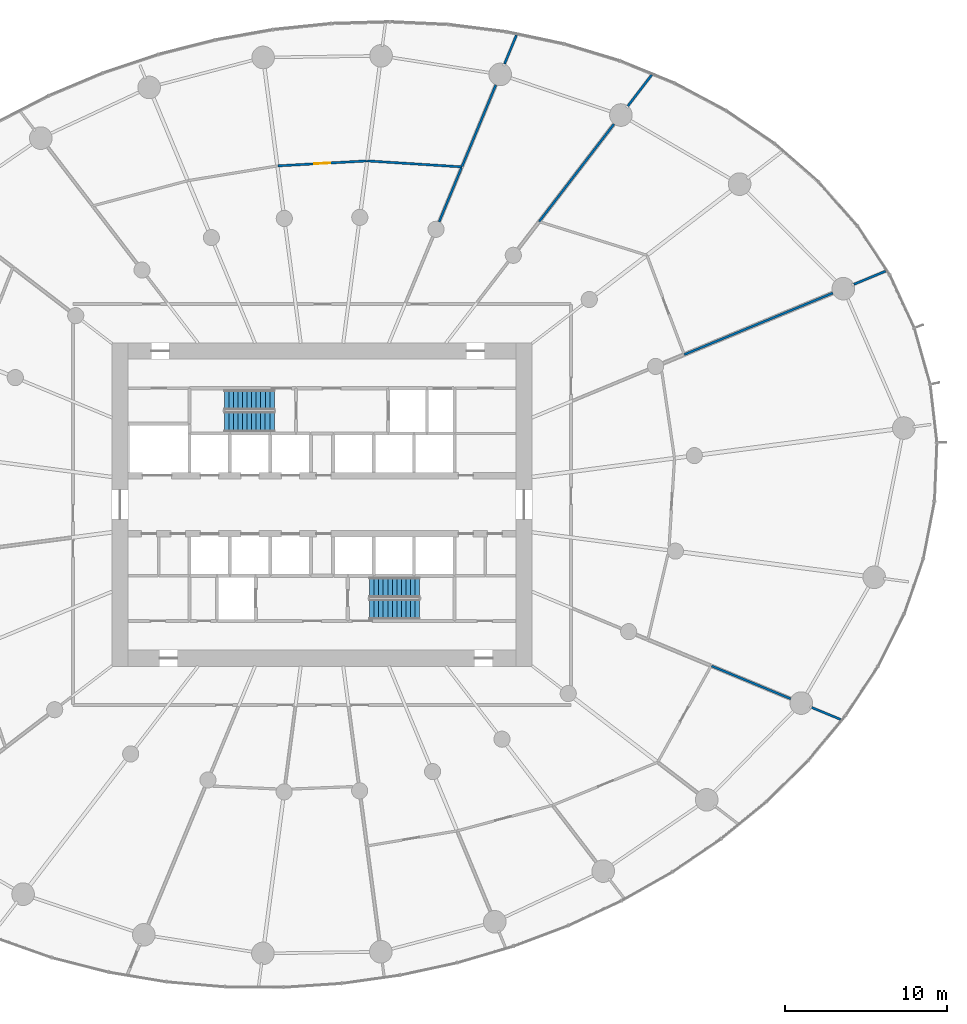
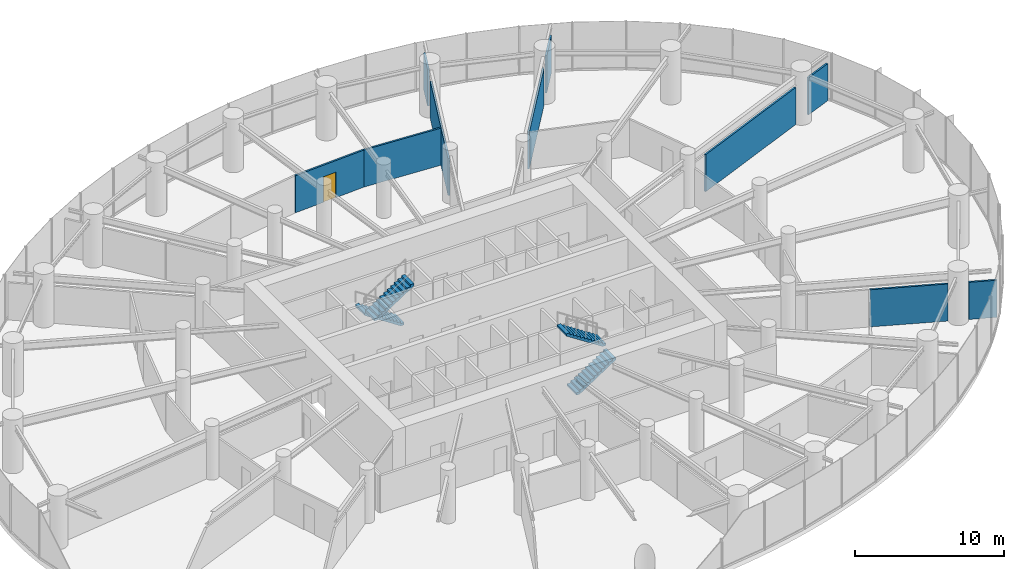
# One storey, part 16 of 19: 11 walls, 4 stair flights, 1 door, 1 opening, 2 elements without a shape of their own.
"""IFC4 building model written with IfcOpenShell, lengths in metres."""

from ifc_helpers import new_model, si_unit, direction, frame, frame_2d, origin, place, context, subcontext, project, spatial, line, indexed_curve, rectangle, outline, extrude, source, transform, mapped, material, layer, layer_set, type_object, element, fill, aggregate, save


model = new_model("IFC4")

# Units and contexts
model_context = context("Model", 3, precision=1e-05, world=origin(), true_north=direction((0.0, 1.0)))
body_context = subcontext(model_context, "Body", "Model", "MODEL_VIEW")
ifc_project = project(units=[si_unit("LENGTHUNIT", "METRE"), si_unit("AREAUNIT", "SQUARE_METRE"), si_unit("VOLUMEUNIT", "CUBIC_METRE"), si_unit("PLANEANGLEUNIT", "RADIAN"), si_unit("MASSUNIT", "GRAM", prefix="KILO")], contexts=[model_context])

# Site, building, storey
site_placement = place(None, origin())
site = spatial("IfcSite", under=ifc_project, at=site_placement, CompositionType="ELEMENT")
building_placement = place(site_placement, origin())
building = spatial("IfcBuilding", under=site, at=building_placement, Name="Spindrift Exchange Tower", CompositionType="ELEMENT")
storey_placement = place(building_placement, frame((0.0, 0.0, 57.800048828125)))
storey = spatial("IfcBuildingStorey", under=building, at=storey_placement, Name="L13", CompositionType="ELEMENT", Elevation=57.800048828125)

# Walls
ifc_material_1 = material(Name="Fire-rated plasterboard partition", Category="gypsum")
ifc_layer_1 = layer(ifc_material_1, 0.139892578125)
ifc_layer_set_1 = layer_set([ifc_layer_1], Name="W-PART-140")
wall_type_1 = type_object("IfcWallType", Name="W-PART-140", PredefinedType="PARTITIONING", material=ifc_layer_set_1)
wall_1_placement = place(storey_placement, frame((74.407470703125, 57.281494140625, 0.0), z_axis=(0.0, 0.0, 1.0), x_axis=(0.923881624853, 0.382678380966, 0.0)))
element("IfcWall", 1, at=wall_1_placement, inside=storey, type_object=wall_type_1, Name="L13 Partition wall 67", PredefinedType="PARTITIONING", context=body_context, shape_type="SweptSolid", body=[
    extrude(rectangle(XDim=9.947265625, YDim=0.139892578125, at=frame_2d((4.9736328125, 0.0))), origin(), (0.0, 0.0, 1.0), 3.050048828125),
])
wall_2_placement = place(storey_placement, frame((76.098876953125, 38.017822265625, 0.0), z_axis=(0.0, 0.0, 1.0), x_axis=(0.923875284448, -0.382693687936, 0.0)))
element("IfcWall", 2, at=wall_2_placement, inside=storey, type_object=wall_type_1, Name="L13 Partition wall 93", PredefinedType="PARTITIONING", context=body_context, shape_type="SweptSolid", body=[
    extrude(rectangle(XDim=5.297607421875, YDim=0.139892578125, at=frame_2d((2.64892578125, 0.0))), origin(), (0.0, 0.0, 1.0), 3.050048828125),
])
wall_3_placement = place(storey_placement, frame((84.900146484375, 61.627685546875, 0.0), z_axis=(0.0, 0.0, 1.0), x_axis=(0.923903507837, 0.382625545679, 0.0)))
element("IfcWall", 3, at=wall_3_placement, inside=storey, type_object=wall_type_1, Name="L13 Partition wall 119", PredefinedType="PARTITIONING", context=body_context, shape_type="SweptSolid", body=[
    extrude(rectangle(XDim=2.126708984375, YDim=0.139892578125, at=frame_2d((1.0634765625, 0.0))), origin(), (0.0, 0.0, 1.0), 3.050048828125),
])
wall_4_placement = place(storey_placement, frame((82.2958984375, 35.450927734375, 0.0), z_axis=(0.0, 0.0, 1.0), x_axis=(0.923914867117, -0.382598115939, 0.0)))
element("IfcWall", 4, at=wall_4_placement, inside=storey, type_object=wall_type_1, Name="L13 Partition wall 121", PredefinedType="PARTITIONING", context=body_context, shape_type="SweptSolid", body=[
    extrude(rectangle(XDim=1.92578125, YDim=0.139892578125, at=frame_2d((0.962890625, 0.0))), origin(), (0.0, 0.0, 1.0), 3.050048828125),
])
ifc_layer_2 = layer(ifc_material_1, 0.139892578125)
ifc_layer_set_2 = layer_set([ifc_layer_2], Name="W-PLANT-140")
wall_type_2 = type_object("IfcWallType", Name="W-PLANT-140", PredefinedType="PARTITIONING", material=ifc_layer_set_2)
wall_5_placement = place(storey_placement, frame((65.433349609375, 65.506591796875, 0.0), z_axis=(0.0, 0.0, 1.0), x_axis=(0.608761001487, 0.79335366834, 0.0)))
element("IfcWall", 5, at=wall_5_placement, inside=storey, type_object=wall_type_2, Name="L13 Partition wall 69", PredefinedType="PARTITIONING", context=body_context, shape_type="SweptSolid", body=[
    extrude(rectangle(XDim=7.606201171875, YDim=0.139892578125, at=frame_2d((3.80322265625, 0.0))), origin(), (0.0, 0.0, 1.0), 3.050048828125),
])
wall_6_placement = place(storey_placement, frame((60.653564453125, 68.891357421875, 0.0), z_axis=(0.0, 0.0, 1.0), x_axis=(-0.997994335937, 0.063303281411, 0.0)))
element("IfcWall", 6, at=wall_6_placement, inside=storey, type_object=wall_type_2, Name="L13 Partition wall 82", PredefinedType="PARTITIONING", context=body_context, shape_type="SweptSolid", body=[
    extrude(rectangle(XDim=5.865966796875, YDim=0.139892578125, at=frame_2d((2.93310546875, 0.0))), origin(), (0.0, 0.0, 1.0), 3.050048828125),
])

# Wall, opening, door
wall_7_placement = place(storey_placement, frame((49.271484375, 68.955078125, 0.0), z_axis=(0.0, 0.0, 1.0), x_axis=(0.998453114177, 0.055600168976, 0.0)))
wall_7 = element("IfcWall", 7, at=wall_7_placement, inside=storey, type_object=wall_type_2, Name="L13 Partition wall 87", PredefinedType="PARTITIONING", context=body_context, shape_type="SweptSolid", body=[
    extrude(rectangle(XDim=5.50634765625, YDim=0.139892578125, at=frame_2d((2.753173828125, 0.0))), origin(), (0.0, 0.0, 1.0), 3.050048828125),
])
opening_placement = place(wall_7_placement, frame((2.256591796875, 0.0, 0.0)))
opening = element("IfcOpeningElement", 8, at=opening_placement, cuts=wall_7, Name="Opening L13-D38", PredefinedType="OPENING", context=body_context, shape_type="SweptSolid", body=[
    extrude(rectangle(XDim=1.0, YDim=2.10009765625, at=frame_2d((0.5, 1.050048828125))), frame((0.0, 0.079833984375, 0.0), z_axis=(0.0, -1.0, 0.0), x_axis=(1.0, 0.0, 0.0)), (0.0, 0.0, 1.0), 0.159912109375),
])
ifc_material_2 = material(Name="Timber-core fire door", Category="wood")
door_type = type_object("IfcDoorType", Name="DR-ROOM-1000", OperationType="NOTDEFINED", PredefinedType="DOOR", material=ifc_material_2)
shared_shape = source(origin(), body_context, "Body", "SweptSolid", [
    extrude(rectangle(XDim=1.0, YDim=2.10009765625, at=frame_2d((0.5, 1.050048828125))), frame((0.0, 0.02490234375, 0.0), z_axis=(0.0, -1.0, 0.0), x_axis=(1.0, 0.0, 0.0)), (0.0, 0.0, 1.0), 0.050048828125),
])
door_placement = place(opening_placement, origin())
door = element("IfcDoor", 9, at=door_placement, inside=storey, type_object=door_type, Name="L13 Door 38", OperationType="SINGLE_SWING_LEFT", OverallHeight=2.10009765625, OverallWidth=1.0, PredefinedType="DOOR", context=body_context, shape_type="MappedRepresentation", body=[
    mapped(shared_shape, transform((0.0, 0.0, 0.0), scale=1.0)),
])
fill(opening, door)

# Walls
wall_8_placement = place(storey_placement, frame((60.664794921875, 68.9189453125, 0.0), z_axis=(0.0, 0.0, 1.0), x_axis=(0.382679771888, 0.923881048722, 0.0)))
element("IfcWall", 10, at=wall_8_placement, inside=storey, type_object=wall_type_2, Name="L13 Partition wall 88", PredefinedType="PARTITIONING", context=body_context, shape_type="SweptSolid", body=[
    extrude(rectangle(XDim=5.45654296875, YDim=0.139892578125, at=frame_2d((2.728271484375, 0.0))), origin(), (0.0, 0.0, 1.0), 3.050048828125),
])
wall_9_placement = place(storey_placement, frame((59.247802734375, 65.497802734375, 0.0), z_axis=(0.0, 0.0, 1.0), x_axis=(0.382707244595, 0.923869668803, 0.0)))
element("IfcWall", 11, at=wall_9_placement, inside=storey, type_object=wall_type_2, Name="L13 Partition wall 107", PredefinedType="PARTITIONING", context=body_context, shape_type="SweptSolid", body=[
    extrude(rectangle(XDim=3.59912109375, YDim=0.139892578125, at=frame_2d((1.799560546875, 0.0))), origin(), (0.0, 0.0, 1.0), 3.050048828125),
])
wall_10_placement = place(storey_placement, frame((70.9208984375, 72.658447265625, 0.0), z_axis=(0.0, 0.0, 1.0), x_axis=(0.608826142, 0.793303680073, 0.0)))
element("IfcWall", 12, at=wall_10_placement, inside=storey, type_object=wall_type_2, Name="L13 Partition wall 114", PredefinedType="PARTITIONING", context=body_context, shape_type="SweptSolid", body=[
    extrude(rectangle(XDim=2.428466796875, YDim=0.139892578125, at=frame_2d((1.21435546875, 0.0))), origin(), (0.0, 0.0, 1.0), 3.050048828125),
])
wall_11_placement = place(storey_placement, frame((63.29248046875, 75.2626953125, 0.0), z_axis=(0.0, 0.0, 1.0), x_axis=(0.382669186211, 0.923885433333, 0.0)))
element("IfcWall", 13, at=wall_11_placement, inside=storey, type_object=wall_type_2, Name="L13 Partition wall 123", PredefinedType="PARTITIONING", context=body_context, shape_type="SweptSolid", body=[
    extrude(rectangle(XDim=1.9248046875, YDim=0.139892578125, at=frame_2d((0.96240234375, 0.0))), origin(), (0.0, 0.0, 1.0), 3.050048828125),
])

# Stair, stair flights
ifc_material_3 = material(Name="Concrete 50 MPa", Category="concrete")
stair_type = type_object("IfcStairType", Name="ST-1250-R183", PredefinedType="HALF_TURN_STAIR", material=ifc_material_3)
stair_1_placement = place(storey_placement, origin())
stair_1 = element("IfcStair", 14, at=stair_1_placement, inside=storey, type_object=stair_type, Name="L13 Exit stair ST1", PredefinedType="HALF_TURN_STAIR")
stair_flight_type = type_object("IfcStairFlightType", Name="STF-1250-R183", PredefinedType="STRAIGHT", material=ifc_material_3)
stair_flight_1_placement = place(storey_placement, frame((49.050048828125, 54.47509765625, 0.0), z_axis=(0.0, 0.0, 1.0), x_axis=(-1.0, 0.0, 0.0)))
stair_flight_1 = element("IfcStairFlight", 15, at=stair_flight_1_placement, type_object=stair_flight_type, Name="ST1 flight 1", NumberOfRisers=12, NumberOfTreads=11, PredefinedType="STRAIGHT", RiserHeight=0.183333333, TreadLength=0.28, context=body_context, shape_type="SweptSolid", body=[
    extrude(outline(indexed_curve([(0.0, 0.0), (0.0, 0.18359375), (0.2802734375, 0.18359375), (0.2802734375, 0.3662109375), (0.5595703125, 0.3662109375), (0.5595703125, 0.5498046875), (0.83984375, 0.5498046875), (0.83984375, 0.7333984375), (1.1201171875, 0.7333984375), (1.1201171875, 0.9169921875), (1.400390625, 0.9169921875), (1.400390625, 1.099609375), (1.6796875, 1.099609375), (1.6796875, 1.283203125), (1.9599609375, 1.283203125), (1.9599609375, 1.466796875), (2.240234375, 1.466796875), (2.240234375, 1.650390625), (2.51953125, 1.650390625), (2.51953125, 1.8330078125), (2.7998046875, 1.8330078125), (2.7998046875, 2.0166015625), (3.080078125, 2.0166015625), (3.080078125, 2.2001953125), (3.080078125, 1.837890625), (0.2734375, 0.0)], segments=[line(1, 2, 3, 4, 5, 6, 7, 8, 9, 10, 11, 12, 13, 14, 15, 16, 17, 18, 19, 20, 21, 22, 23, 24, 25, 26, 1)], self_intersect=False)), frame((0.0, 0.625, 0.0), z_axis=(0.0, -1.0, 0.0), x_axis=(1.0, 0.0, 0.0)), (0.0, 0.0, 1.0), 1.25),
])
stair_flight_2_placement = place(storey_placement, frame((45.969970703125, 53.125, 2.199951171875), z_axis=(0.0, 0.0, 1.0), x_axis=(1.0, 0.0, 0.0)))
stair_flight_2 = element("IfcStairFlight", 16, at=stair_flight_2_placement, type_object=stair_flight_type, Name="ST1 flight 2", NumberOfRisers=12, NumberOfTreads=11, PredefinedType="STRAIGHT", RiserHeight=0.183333333, TreadLength=0.28, context=body_context, shape_type="SweptSolid", body=[
    extrude(outline(indexed_curve([(0.0, 0.0), (0.0, 0.18359375), (0.2802734375, 0.18359375), (0.2802734375, 0.3662109375), (0.5595703125, 0.3662109375), (0.5595703125, 0.5498046875), (0.83984375, 0.5498046875), (0.83984375, 0.7333984375), (1.1201171875, 0.7333984375), (1.1201171875, 0.9169921875), (1.400390625, 0.9169921875), (1.400390625, 1.099609375), (1.6796875, 1.099609375), (1.6796875, 1.283203125), (1.9599609375, 1.283203125), (1.9599609375, 1.466796875), (2.240234375, 1.466796875), (2.240234375, 1.650390625), (2.51953125, 1.650390625), (2.51953125, 1.8330078125), (2.7998046875, 1.8330078125), (2.7998046875, 2.0166015625), (3.080078125, 2.0166015625), (3.080078125, 2.2001953125), (3.080078125, 1.837890625), (0.2734375, 0.0)], segments=[line(1, 2, 3, 4, 5, 6, 7, 8, 9, 10, 11, 12, 13, 14, 15, 16, 17, 18, 19, 20, 21, 22, 23, 24, 25, 26, 1)], self_intersect=False)), frame((0.0, 0.625, 0.0), z_axis=(0.0, -1.0, 0.0), x_axis=(1.0, 0.0, 0.0)), (0.0, 0.0, 1.0), 1.25),
])
aggregate(stair_1, [stair_flight_1, stair_flight_2])

stair_2_placement = place(storey_placement, origin())
stair_2 = element("IfcStair", 17, at=stair_2_placement, inside=storey, type_object=stair_type, Name="L13 Exit stair ST2", PredefinedType="HALF_TURN_STAIR")
stair_flight_3_placement = place(storey_placement, frame((54.949951171875, 41.52490234375, 0.0), z_axis=(0.0, 0.0, 1.0), x_axis=(1.0, 0.0, 0.0)))
stair_flight_3 = element("IfcStairFlight", 18, at=stair_flight_3_placement, type_object=stair_flight_type, Name="ST2 flight 1", NumberOfRisers=12, NumberOfTreads=11, PredefinedType="STRAIGHT", RiserHeight=0.183333333, TreadLength=0.28, context=body_context, shape_type="SweptSolid", body=[
    extrude(outline(indexed_curve([(0.0, 0.0), (0.0, 0.18359375), (0.2802734375, 0.18359375), (0.2802734375, 0.3662109375), (0.5595703125, 0.3662109375), (0.5595703125, 0.5498046875), (0.83984375, 0.5498046875), (0.83984375, 0.7333984375), (1.1201171875, 0.7333984375), (1.1201171875, 0.9169921875), (1.400390625, 0.9169921875), (1.400390625, 1.099609375), (1.6796875, 1.099609375), (1.6796875, 1.283203125), (1.9599609375, 1.283203125), (1.9599609375, 1.466796875), (2.240234375, 1.466796875), (2.240234375, 1.650390625), (2.51953125, 1.650390625), (2.51953125, 1.8330078125), (2.7998046875, 1.8330078125), (2.7998046875, 2.0166015625), (3.080078125, 2.0166015625), (3.080078125, 2.2001953125), (3.080078125, 1.837890625), (0.2734375, 0.0)], segments=[line(1, 2, 3, 4, 5, 6, 7, 8, 9, 10, 11, 12, 13, 14, 15, 16, 17, 18, 19, 20, 21, 22, 23, 24, 25, 26, 1)], self_intersect=False)), frame((0.0, 0.625, 0.0), z_axis=(0.0, -1.0, 0.0), x_axis=(1.0, 0.0, 0.0)), (0.0, 0.0, 1.0), 1.25),
])
stair_flight_4_placement = place(storey_placement, frame((58.030029296875, 42.875, 2.199951171875), z_axis=(0.0, 0.0, 1.0), x_axis=(-1.0, 0.0, 0.0)))
stair_flight_4 = element("IfcStairFlight", 19, at=stair_flight_4_placement, type_object=stair_flight_type, Name="ST2 flight 2", NumberOfRisers=12, NumberOfTreads=11, PredefinedType="STRAIGHT", RiserHeight=0.183333333, TreadLength=0.28, context=body_context, shape_type="SweptSolid", body=[
    extrude(outline(indexed_curve([(0.0, 0.0), (0.0, 0.18359375), (0.2802734375, 0.18359375), (0.2802734375, 0.3662109375), (0.5595703125, 0.3662109375), (0.5595703125, 0.5498046875), (0.83984375, 0.5498046875), (0.83984375, 0.7333984375), (1.1201171875, 0.7333984375), (1.1201171875, 0.9169921875), (1.400390625, 0.9169921875), (1.400390625, 1.099609375), (1.6796875, 1.099609375), (1.6796875, 1.283203125), (1.9599609375, 1.283203125), (1.9599609375, 1.466796875), (2.240234375, 1.466796875), (2.240234375, 1.650390625), (2.51953125, 1.650390625), (2.51953125, 1.8330078125), (2.7998046875, 1.8330078125), (2.7998046875, 2.0166015625), (3.080078125, 2.0166015625), (3.080078125, 2.2001953125), (3.080078125, 1.837890625), (0.2734375, 0.0)], segments=[line(1, 2, 3, 4, 5, 6, 7, 8, 9, 10, 11, 12, 13, 14, 15, 16, 17, 18, 19, 20, 21, 22, 23, 24, 25, 26, 1)], self_intersect=False)), frame((0.0, 0.625, 0.0), z_axis=(0.0, -1.0, 0.0), x_axis=(1.0, 0.0, 0.0)), (0.0, 0.0, 1.0), 1.25),
])
aggregate(stair_2, [stair_flight_3, stair_flight_4])

save(model, "model.ifc")
